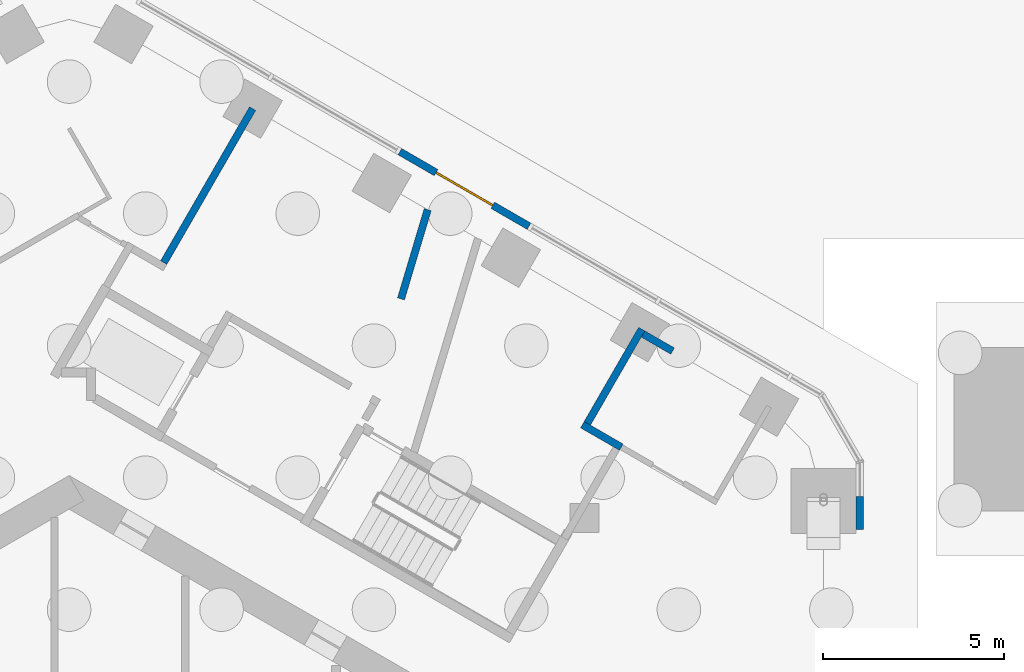
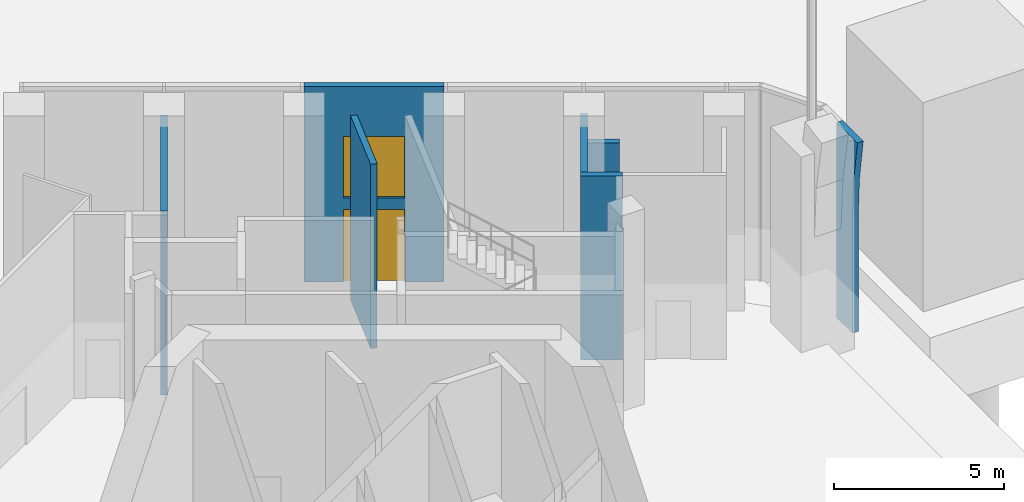
# One storey, part 12 of 18: 7 walls, 1 door, 1 window, 2 openings.
"""IFC4 building model written with IfcOpenShell, lengths in metres."""

from ifc_helpers import new_model, si_unit, direction, frame, frame_2d, origin, place, context, subcontext, project, spatial, polyline, rectangle, outline, extrude, material, layer, layer_set, type_object, element, fill, save


model = new_model("IFC4")

# Units and contexts
model_context = context("Model", 3, precision=1e-05, world=origin(), true_north=direction((0.0, 1.0)))
body_context = subcontext(model_context, "Body", "Model", "MODEL_VIEW")
ifc_project = project(units=[si_unit("LENGTHUNIT", "METRE"), si_unit("AREAUNIT", "SQUARE_METRE"), si_unit("VOLUMEUNIT", "CUBIC_METRE"), si_unit("PLANEANGLEUNIT", "RADIAN"), si_unit("MASSUNIT", "GRAM", prefix="KILO")], contexts=[model_context])

# Site, building, storey
site_placement = place(None, origin())
site = spatial("IfcSite", under=ifc_project, at=site_placement, CompositionType="ELEMENT")
building_placement = place(site_placement, origin())
building = spatial("IfcBuilding", under=site, at=building_placement, Name="Ayvan Gate Tower", CompositionType="ELEMENT")
storey_placement = place(building_placement, origin())
storey = spatial("IfcBuildingStorey", under=building, at=storey_placement, Name="L00", CompositionType="ELEMENT", Elevation=0.0)

# Wall
ifc_material_1 = material(Name="Pale metal cladding on insulated wall")
ifc_layer_1 = layer(ifc_material_1, 0.199951171875)
ifc_layer_set_1 = layer_set([ifc_layer_1], Name="Pale metal cladding on insulated wall")
wall_type_1 = type_object("IfcWallType", Name="Arch tympanum wall 200", PredefinedType="SOLIDWALL", material=ifc_layer_set_1)
wall_1_placement = place(storey_placement, frame((21.6845703125, 10.399658203125, 0.0), z_axis=(-1.0, 0.0, 0.0), x_axis=(0.0, -1.0, 0.0)))
element("IfcWall", 1, at=wall_1_placement, inside=storey, type_object=wall_type_1, Name="Arch tympanum wall L00 face 0", PredefinedType="SOLIDWALL", context=body_context, shape_type="SweptSolid", body=[
    extrude(outline(polyline([(0.0, 0.0), (0.920166015625, 0.0), (0.920166015625, 4.0), (0.994140625, 5.4931640625), (1.2158203125, 6.971923828125), (1.222900390625, 7.0), (0.0, 7.0), (0.0, 0.0)])), origin(), (0.0, 0.0, -1.0), 0.199951171875),
])

# Wall, openings, door, window
ifc_material_2 = material(Name="Insulated metal panel wall")
ifc_layer_2 = layer(ifc_material_2, 0.199951171875)
ifc_layer_set_2 = layer_set([ifc_layer_2], Name="Insulated metal panel wall")
wall_type_2 = type_object("IfcWallType", Name="Lobby entrance wall 200", PredefinedType="SOLIDWALL", material=ifc_layer_set_2)
wall_2_placement = place(storey_placement, frame((12.670654296875, 17.839111328125, 0.0), z_axis=(0.0, 0.0, 1.0), x_axis=(-0.865995510393, 0.500051773299, 0.0)))
wall_2 = element("IfcWall", 2, at=wall_2_placement, inside=storey, type_object=wall_type_2, Name="EW:L00:1:ent", PredefinedType="SOLIDWALL", context=body_context, shape_type="SweptSolid", body=[
    extrude(rectangle(XDim=4.10693359375, YDim=0.199951171875, at=frame_2d((2.053466796875, 0.0))), origin(), (0.0, 0.0, 1.0), 7.0),
])
opening_1_placement = place(wall_2_placement, frame((1.153564453125, 0.0, 0.0)))
opening_1 = element("IfcOpeningElement", 3, at=opening_1_placement, cuts=wall_2, Name="Opening L00-D81", PredefinedType="OPENING", context=body_context, shape_type="SweptSolid", body=[
    extrude(rectangle(XDim=1.800048828125, YDim=2.60009765625, at=frame_2d((0.89990234375, 1.300048828125))), frame((0.0, 0.10986328125, 0.0), z_axis=(0.0, -1.0, 0.0), x_axis=(1.0, 0.0, 0.0)), (0.0, 0.0, 1.0), 0.219970703125),
])
opening_2_placement = place(wall_2_placement, frame((1.153564453125, 0.0, 3.0)))
opening_2 = element("IfcOpeningElement", 4, at=opening_2_placement, cuts=wall_2, Name="Opening W-E", PredefinedType="OPENING", context=body_context, shape_type="SweptSolid", body=[
    extrude(rectangle(XDim=1.800048828125, YDim=2.199951171875, at=frame_2d((0.89990234375, 1.10009765625))), frame((0.0, 0.10986328125, 0.0), z_axis=(0.0, -1.0, 0.0), x_axis=(1.0, 0.0, 0.0)), (0.0, 0.0, 1.0), 0.219970703125),
])
ifc_material_3 = material(Name="Bronze anodised aluminium and clear glass", Category="aluminium")
door_type = type_object("IfcDoorType", Name="Entrance door pair D-E", OperationType="DOUBLE_DOOR_DOUBLE_SWING", PredefinedType="DOOR", material=ifc_material_3)
door_placement = place(opening_1_placement, origin())
door = element("IfcDoor", 5, at=door_placement, inside=storey, type_object=door_type, Name="Entrance door 1", OperationType="DOUBLE_DOOR_DOUBLE_SWING", OverallHeight=2.60009765625, OverallWidth=1.800048828125, PredefinedType="DOOR", context=body_context, shape_type="SweptSolid", body=[
    extrude(rectangle(XDim=1.800048828125, YDim=2.60009765625, at=frame_2d((0.89990234375, 1.300048828125))), frame((0.0, 0.02490234375, 0.0), z_axis=(0.0, -1.0, 0.0), x_axis=(1.0, 0.0, 0.0)), (0.0, 0.0, 1.0), 0.050048828125),
])
fill(opening_1, door)
window_type = type_object("IfcWindowType", Name="Entrance transom light W-E", PartitioningType="SINGLE_PANEL", PredefinedType="WINDOW", material=ifc_material_3)
window_placement = place(opening_2_placement, origin())
window = element("IfcWindow", 6, at=window_placement, inside=storey, type_object=window_type, Name="Entrance transom light 1", OverallHeight=2.199951171875, OverallWidth=1.800048828125, PartitioningType="SINGLE_PANEL", PredefinedType="WINDOW", context=body_context, shape_type="SweptSolid", body=[
    extrude(rectangle(XDim=1.800048828125, YDim=2.199951171875, at=frame_2d((0.89990234375, 1.10009765625))), frame((0.0, 0.030029296875, 0.0), z_axis=(0.0, -1.0, 0.0), x_axis=(1.0, 0.0, 0.0)), (0.0, 0.0, 1.0), 0.06005859375),
])
fill(opening_2, window)

# Walls
ifc_material_4 = material(Name="Plasterboard on steel stud", Category="steel")
ifc_layer_3 = layer(ifc_material_4, 0.199951171875)
ifc_layer_set_3 = layer_set([ifc_layer_3], Name="Plasterboard on steel stud")
wall_type_3 = type_object("IfcWallType", Name="WT-PLUMB-200", PredefinedType="PLUMBINGWALL", material=ifc_layer_set_3)
wall_3_placement = place(storey_placement, frame((2.60693359375, 16.8369140625, 0.0), z_axis=(0.0, 0.0, 1.0), x_axis=(0.500002801628, 0.866023786258, 0.0)))
element("IfcWall", 7, at=wall_3_placement, inside=storey, type_object=wall_type_3, Name="IW-L00-069", PredefinedType="PLUMBINGWALL", context=body_context, shape_type="SweptSolid", body=[
    extrude(rectangle(XDim=4.89990234375, YDim=0.199951171875, at=frame_2d((2.449951171875, 0.0))), origin(), (0.0, 0.0, 1.0), 6.60009765625),
])
wall_4_placement = place(storey_placement, frame((9.8798828125, 18.2958984375, 0.0), z_axis=(0.0, 0.0, 1.0), x_axis=(-0.286850320116, -0.957975414011, 0.0)))
element("IfcWall", 8, at=wall_4_placement, inside=storey, type_object=wall_type_3, Name="IW-L00-093", PredefinedType="PLUMBINGWALL", context=body_context, shape_type="SweptSolid", body=[
    extrude(rectangle(XDim=2.566162109375, YDim=0.199951171875, at=frame_2d((1.283203125, 0.0))), origin(), (0.0, 0.0, 1.0), 6.60009765625),
])
wall_5_placement = place(storey_placement, frame((14.14111328125, 12.37158203125, 0.0), z_axis=(0.0, 0.0, 1.0), x_axis=(0.866028115054, -0.499995303914, 0.0)))
element("IfcWall", 9, at=wall_5_placement, inside=storey, type_object=wall_type_3, Name="IW-L00-098", PredefinedType="PLUMBINGWALL", context=body_context, shape_type="SweptSolid", body=[
    extrude(rectangle(XDim=1.2392578125, YDim=0.199951171875, at=frame_2d((0.61962890625, 0.0))), origin(), (0.0, 0.0, 1.0), 6.60009765625),
])
wall_6_placement = place(storey_placement, frame((15.777587890625, 15.006103515625, 0.0), z_axis=(0.0, 0.0, 1.0), x_axis=(-0.50002537861, -0.866010750942, 0.0)))
element("IfcWall", 10, at=wall_6_placement, inside=storey, type_object=wall_type_3, Name="IW-L00-102", PredefinedType="PLUMBINGWALL", context=body_context, shape_type="SweptSolid", body=[
    extrude(rectangle(XDim=2.999755859375, YDim=0.199951171875, at=frame_2d((1.5, 0.0))), origin(), (0.0, 0.0, 1.0), 6.60009765625),
])
wall_7_placement = place(storey_placement, frame((16.627685546875, 14.39990234375, 0.0), z_axis=(0.0, 0.0, 1.0), x_axis=(-0.865995139556, 0.500052415518, 0.0)))
element("IfcWall", 11, at=wall_7_placement, inside=storey, type_object=wall_type_3, Name="IW-L00-103", PredefinedType="PLUMBINGWALL", context=body_context, shape_type="SweptSolid", body=[
    extrude(rectangle(XDim=0.939453125, YDim=0.199951171875, at=frame_2d((0.4697265625, 0.0))), origin(), (0.0, 0.0, 1.0), 5.675048828125),
])

save(model, "model.ifc")
